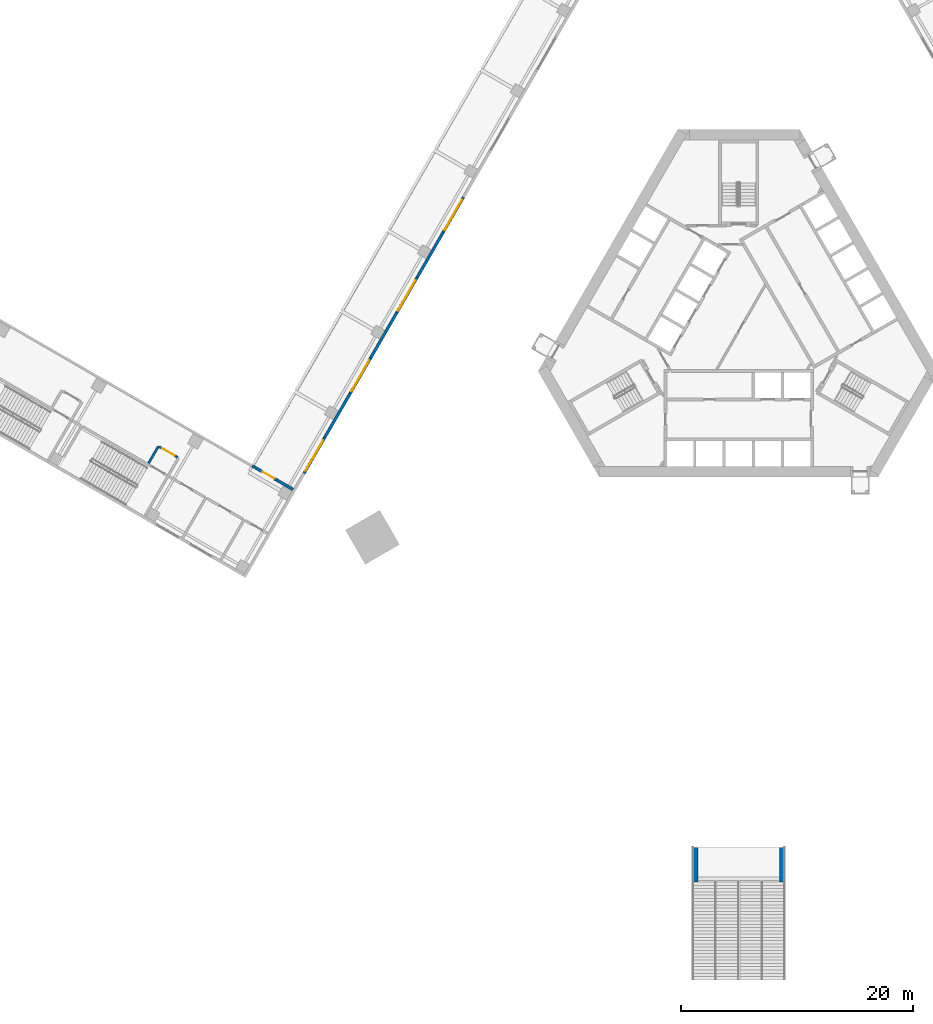
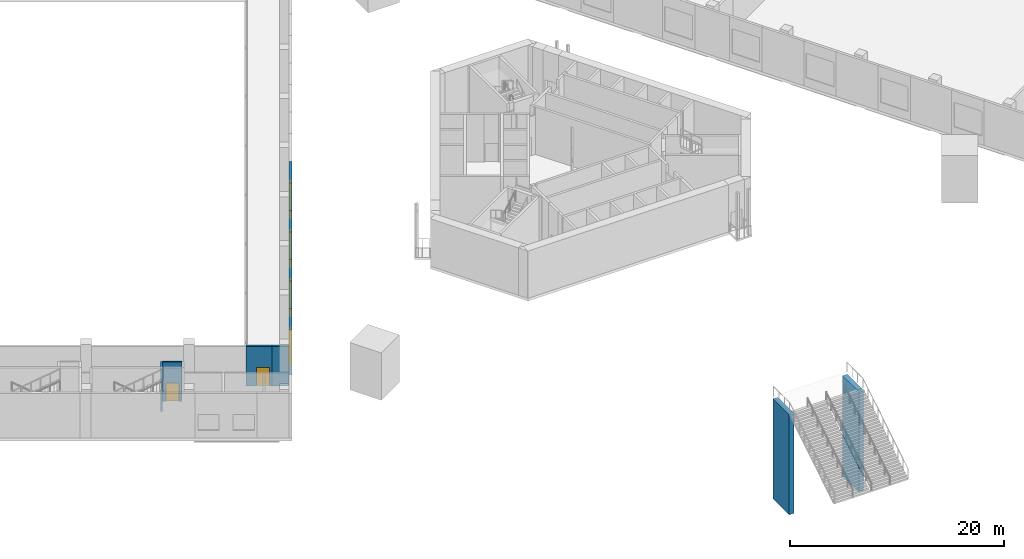
# One storey, part 10 of 35: 13 walls, 4 windows, 2 doors, 6 openings.
"""IFC4 building model written with IfcOpenShell, lengths in metres."""

from ifc_helpers import new_model, si_unit, direction, frame, frame_2d, origin, place, context, subcontext, project, spatial, rectangle, extrude, material, layer, layer_set, type_object, element, fill, save


model = new_model("IFC4")

# Units and contexts
model_context = context("Model", 3, precision=1e-05, world=origin(), true_north=direction((0.0, 1.0)))
body_context = subcontext(model_context, "Body", "Model", "MODEL_VIEW")
ifc_project = project(units=[si_unit("LENGTHUNIT", "METRE"), si_unit("AREAUNIT", "SQUARE_METRE"), si_unit("VOLUMEUNIT", "CUBIC_METRE"), si_unit("PLANEANGLEUNIT", "RADIAN"), si_unit("MASSUNIT", "GRAM", prefix="KILO")], contexts=[model_context])

# Site, building, storey
site_placement = place(None, origin())
site = spatial("IfcSite", under=ifc_project, at=site_placement, CompositionType="ELEMENT")
building_placement = place(site_placement, origin())
building = spatial("IfcBuilding", under=site, at=building_placement, Name="Mestral Congress Tower", CompositionType="ELEMENT")
storey_placement = place(building_placement, frame((0.0, 0.0, 6.0)))
storey = spatial("IfcBuildingStorey", under=building, at=storey_placement, Name="L01", CompositionType="ELEMENT", Elevation=6.0)

# Wall, opening, window
ifc_material_1 = material(Name="Precast concrete C40/50 with limestone facing", Category="masonry")
ifc_layer_1 = layer(ifc_material_1, 0.25)
ifc_layer_set_1 = layer_set([ifc_layer_1], Name="Precast concrete C40/50 with limestone facing")
wall_type_1 = type_object("IfcWallType", Name="Podium external wall 250", PredefinedType="SOLIDWALL", material=ifc_layer_set_1)
wall_1_placement = place(storey_placement, frame((-23.6875, 11.077880859375, 0.0), z_axis=(0.0, 0.0, 1.0), x_axis=(-0.500010275428, -0.866019471182, 0.0)))
wall_1 = element("IfcWall", 1, at=wall_1_placement, inside=storey, type_object=wall_type_1, Name="L01 external wall", PredefinedType="SOLIDWALL", context=body_context, shape_type="SweptSolid", body=[
    extrude(rectangle(XDim=3.5, YDim=0.25, at=frame_2d((1.75, 0.0))), origin(), (0.0, 0.0, 1.0), 5.10009765625),
])
opening_1_placement = place(wall_1_placement, frame((0.25, 0.0, 0.89990234375)))
opening_1 = element("IfcOpeningElement", 2, at=opening_1_placement, cuts=wall_1, Name="Opening PW-3000x2200", PredefinedType="OPENING", context=body_context, shape_type="SweptSolid", body=[
    extrude(rectangle(XDim=3.0, YDim=2.199951171875, at=frame_2d((1.5, 1.10009765625))), frame((0.0, 0.135009765625, 0.0), z_axis=(0.0, -1.0, 0.0), x_axis=(1.0, 0.0, 0.0)), (0.0, 0.0, 1.0), 0.27001953125),
])
ifc_material_2 = material(Name="Aluminium frame, clear double glazing", Category="aluminium")
window_type = type_object("IfcWindowType", Name="Podium window 3000x2200 sill 900", PartitioningType="SINGLE_PANEL", PredefinedType="WINDOW", material=ifc_material_2)
window_1_placement = place(opening_1_placement, origin())
window_1 = element("IfcWindow", 3, at=window_1_placement, inside=storey, type_object=window_type, Name="Window", OverallHeight=2.199951171875, OverallWidth=3.0, PartitioningType="SINGLE_PANEL", PredefinedType="WINDOW", context=body_context, shape_type="SweptSolid", body=[
    extrude(rectangle(XDim=3.0, YDim=2.199951171875, at=frame_2d((1.5, 1.10009765625))), frame((0.0, 0.030029296875, 0.0), z_axis=(0.0, -1.0, 0.0), x_axis=(1.0, 0.0, 0.0)), (0.0, 0.0, 1.0), 0.06005859375),
])
fill(opening_1, window_1)

# Wall
wall_2_placement = place(storey_placement, frame((-25.4375, 8.046875, 0.0), z_axis=(0.0, 0.0, 1.0), x_axis=(-0.499990139034, -0.866031096941, 0.0)))
element("IfcWall", 4, at=wall_2_placement, inside=storey, type_object=wall_type_1, Name="L01 external wall", PredefinedType="SOLIDWALL", context=body_context, shape_type="SweptSolid", body=[
    extrude(rectangle(XDim=4.5, YDim=0.25, at=frame_2d((2.25, 0.0))), origin(), (0.0, 0.0, 1.0), 5.10009765625),
])

# Wall, opening, window
wall_3_placement = place(storey_placement, frame((-27.6875, 4.149658203125, 0.0), z_axis=(0.0, 0.0, 1.0), x_axis=(-0.500010275428, -0.866019471182, 0.0)))
wall_3 = element("IfcWall", 5, at=wall_3_placement, inside=storey, type_object=wall_type_1, Name="L01 external wall", PredefinedType="SOLIDWALL", context=body_context, shape_type="SweptSolid", body=[
    extrude(rectangle(XDim=3.5, YDim=0.25, at=frame_2d((1.75, 0.0))), origin(), (0.0, 0.0, 1.0), 5.10009765625),
])
opening_2_placement = place(wall_3_placement, frame((0.25, 0.0, 0.89990234375)))
opening_2 = element("IfcOpeningElement", 6, at=opening_2_placement, cuts=wall_3, Name="Opening PW-3000x2200", PredefinedType="OPENING", context=body_context, shape_type="SweptSolid", body=[
    extrude(rectangle(XDim=3.0, YDim=2.199951171875, at=frame_2d((1.5, 1.10009765625))), frame((0.0, 0.135009765625, 0.0), z_axis=(0.0, -1.0, 0.0), x_axis=(1.0, 0.0, 0.0)), (0.0, 0.0, 1.0), 0.27001953125),
])
window_2_placement = place(opening_2_placement, origin())
window_2 = element("IfcWindow", 7, at=window_2_placement, inside=storey, type_object=window_type, Name="Window", OverallHeight=2.199951171875, OverallWidth=3.0, PartitioningType="SINGLE_PANEL", PredefinedType="WINDOW", context=body_context, shape_type="SweptSolid", body=[
    extrude(rectangle(XDim=3.0, YDim=2.199951171875, at=frame_2d((1.5, 1.10009765625))), frame((0.0, 0.030029296875, 0.0), z_axis=(0.0, -1.0, 0.0), x_axis=(1.0, 0.0, 0.0)), (0.0, 0.0, 1.0), 0.06005859375),
])
fill(opening_2, window_2)

# Wall
wall_4_placement = place(storey_placement, frame((-29.4375, 1.11865234375, 0.0), z_axis=(0.0, 0.0, 1.0), x_axis=(-0.499990139034, -0.866031096941, 0.0)))
element("IfcWall", 8, at=wall_4_placement, inside=storey, type_object=wall_type_1, Name="L01 external wall", PredefinedType="SOLIDWALL", context=body_context, shape_type="SweptSolid", body=[
    extrude(rectangle(XDim=4.5, YDim=0.25, at=frame_2d((2.25, 0.0))), origin(), (0.0, 0.0, 1.0), 5.10009765625),
])

# Wall, opening, window
wall_5_placement = place(storey_placement, frame((-31.6875, -2.778564453125, 0.0), z_axis=(0.0, 0.0, 1.0), x_axis=(-0.500010275428, -0.866019471182, 0.0)))
wall_5 = element("IfcWall", 9, at=wall_5_placement, inside=storey, type_object=wall_type_1, Name="L01 external wall", PredefinedType="SOLIDWALL", context=body_context, shape_type="SweptSolid", body=[
    extrude(rectangle(XDim=3.5, YDim=0.25, at=frame_2d((1.75, 0.0))), origin(), (0.0, 0.0, 1.0), 5.10009765625),
])
opening_3_placement = place(wall_5_placement, frame((0.25, 0.0, 0.89990234375)))
opening_3 = element("IfcOpeningElement", 10, at=opening_3_placement, cuts=wall_5, Name="Opening PW-3000x2200", PredefinedType="OPENING", context=body_context, shape_type="SweptSolid", body=[
    extrude(rectangle(XDim=3.0, YDim=2.199951171875, at=frame_2d((1.5, 1.10009765625))), frame((0.0, 0.135009765625, 0.0), z_axis=(0.0, -1.0, 0.0), x_axis=(1.0, 0.0, 0.0)), (0.0, 0.0, 1.0), 0.27001953125),
])
window_3_placement = place(opening_3_placement, origin())
window_3 = element("IfcWindow", 11, at=window_3_placement, inside=storey, type_object=window_type, Name="Window", OverallHeight=2.199951171875, OverallWidth=3.0, PartitioningType="SINGLE_PANEL", PredefinedType="WINDOW", context=body_context, shape_type="SweptSolid", body=[
    extrude(rectangle(XDim=3.0, YDim=2.199951171875, at=frame_2d((1.5, 1.10009765625))), frame((0.0, 0.030029296875, 0.0), z_axis=(0.0, -1.0, 0.0), x_axis=(1.0, 0.0, 0.0)), (0.0, 0.0, 1.0), 0.06005859375),
])
fill(opening_3, window_3)

# Wall
wall_6_placement = place(storey_placement, frame((-33.4375, -5.8095703125, 0.0), z_axis=(0.0, 0.0, 1.0), x_axis=(-0.499990705068, -0.866030770149, 0.0)))
element("IfcWall", 12, at=wall_6_placement, inside=storey, type_object=wall_type_1, Name="L01 external wall", PredefinedType="SOLIDWALL", context=body_context, shape_type="SweptSolid", body=[
    extrude(rectangle(XDim=4.43798828125, YDim=0.25, at=frame_2d((2.218994140625, 0.0))), origin(), (0.0, 0.0, 1.0), 5.10009765625),
])

# Wall, opening, window
wall_7_placement = place(storey_placement, frame((-35.656494140625, -9.653076171875, 0.0), z_axis=(0.0, 0.0, 1.0), x_axis=(-0.500010275428, -0.866019471182, 0.0)))
wall_7 = element("IfcWall", 13, at=wall_7_placement, inside=storey, type_object=wall_type_1, Name="L01 external wall", PredefinedType="SOLIDWALL", context=body_context, shape_type="SweptSolid", body=[
    extrude(rectangle(XDim=3.5, YDim=0.25, at=frame_2d((1.75, 0.0))), origin(), (0.0, 0.0, 1.0), 5.10009765625),
])
opening_4_placement = place(wall_7_placement, frame((0.25, 0.0, 0.89990234375)))
opening_4 = element("IfcOpeningElement", 14, at=opening_4_placement, cuts=wall_7, Name="Opening PW-3000x2200", PredefinedType="OPENING", context=body_context, shape_type="SweptSolid", body=[
    extrude(rectangle(XDim=3.0, YDim=2.199951171875, at=frame_2d((1.5, 1.10009765625))), frame((0.0, 0.135009765625, 0.0), z_axis=(0.0, -1.0, 0.0), x_axis=(1.0, 0.0, 0.0)), (0.0, 0.0, 1.0), 0.27001953125),
])
window_4_placement = place(opening_4_placement, origin())
window_4 = element("IfcWindow", 15, at=window_4_placement, inside=storey, type_object=window_type, Name="Window", OverallHeight=2.199951171875, OverallWidth=3.0, PartitioningType="SINGLE_PANEL", PredefinedType="WINDOW", context=body_context, shape_type="SweptSolid", body=[
    extrude(rectangle(XDim=3.0, YDim=2.199951171875, at=frame_2d((1.5, 1.10009765625))), frame((0.0, 0.030029296875, 0.0), z_axis=(0.0, -1.0, 0.0), x_axis=(1.0, 0.0, 0.0)), (0.0, 0.0, 1.0), 0.06005859375),
])
fill(opening_4, window_4)

# Wall
ifc_material_3 = material(Name="Masonry block wall", Category="masonry")
ifc_layer_2 = layer(ifc_material_3, 0.25)
ifc_layer_set_2 = layer_set([ifc_layer_2], Name="Masonry block wall")
wall_type_2 = type_object("IfcWallType", Name="Podium hall wall 250 EI 180", PredefinedType="SOLIDWALL", material=ifc_layer_set_2)
wall_8_placement = place(storey_placement, frame((-38.3583984375, -14.08251953125, 0.0), z_axis=(0.0, 0.0, 1.0), x_axis=(-0.866055983265, 0.499947031044, 0.0)))
element("IfcWall", 16, at=wall_8_placement, inside=storey, type_object=wall_type_2, Name="L01 partition", PredefinedType="SOLIDWALL", context=body_context, shape_type="SweptSolid", body=[
    extrude(rectangle(XDim=1.599853515625, YDim=0.25, at=frame_2d((0.7998046875, 0.0))), origin(), (0.0, 0.0, 1.0), 4.5),
])

# Wall, opening, door
wall_9_placement = place(storey_placement, frame((-39.743896484375, -13.28271484375, 0.0), z_axis=(0.0, 0.0, 1.0), x_axis=(-0.866014668023, 0.500018594424, 0.0)))
wall_9 = element("IfcWall", 17, at=wall_9_placement, inside=storey, type_object=wall_type_2, Name="L01 partition", PredefinedType="SOLIDWALL", context=body_context, shape_type="SweptSolid", body=[
    extrude(rectangle(XDim=2.4501953125, YDim=0.25, at=frame_2d((1.22509765625, 0.0))), origin(), (0.0, 0.0, 1.0), 4.5),
])
opening_5_placement = place(wall_9_placement, frame((0.25, 0.0, 0.0)))
opening_5 = element("IfcOpeningElement", 18, at=opening_5_placement, cuts=wall_9, Name="Opening P01-319", PredefinedType="OPENING", context=body_context, shape_type="SweptSolid", body=[
    extrude(rectangle(XDim=1.199951171875, YDim=2.10009765625, at=frame_2d((0.60009765625, 1.050048828125))), frame((0.0, 0.135009765625, 0.0), z_axis=(0.0, -1.0, 0.0), x_axis=(1.0, 0.0, 0.0)), (0.0, 0.0, 1.0), 0.27001953125),
])
ifc_material_4 = material(Name="Fire-rated steel door set", Category="steel")
door_type_1 = type_object("IfcDoorType", Name="Podium hall door 1200x2100 EI2 90-C5", OperationType="SINGLE_SWING_LEFT", PredefinedType="DOOR", material=ifc_material_4)
door_1_placement = place(opening_5_placement, origin())
door_1 = element("IfcDoor", 19, at=door_1_placement, inside=storey, type_object=door_type_1, Name="Door P01-319", OperationType="SINGLE_SWING_LEFT", OverallHeight=2.10009765625, OverallWidth=1.199951171875, PredefinedType="DOOR", context=body_context, shape_type="SweptSolid", body=[
    extrude(rectangle(XDim=1.199951171875, YDim=2.10009765625, at=frame_2d((0.60009765625, 1.050048828125))), frame((0.0, 0.02490234375, 0.0), z_axis=(0.0, -1.0, 0.0), x_axis=(1.0, 0.0, 0.0)), (0.0, 0.0, 1.0), 0.050048828125),
])
fill(opening_5, door_1)

# Wall
ifc_material_5 = material(Name="Fire-rated board partition")
ifc_layer_3 = layer(ifc_material_5, 0.199951171875)
ifc_layer_set_3 = layer_set([ifc_layer_3], Name="Fire-rated board partition")
wall_type_3 = type_object("IfcWallType", Name="Podium vestibule wall 200 EI 120", PredefinedType="PARTITIONING", material=ifc_layer_set_3)
wall_10_placement = place(storey_placement, frame((-49.951416015625, -10.362548828125, 0.0), z_axis=(0.0, 0.0, 1.0), x_axis=(-0.500062241894, -0.865989465428, 0.0)))
element("IfcWall", 20, at=wall_10_placement, inside=storey, type_object=wall_type_3, Name="L01 partition", PredefinedType="PARTITIONING", context=body_context, shape_type="SweptSolid", body=[
    extrude(rectangle(XDim=1.699951171875, YDim=0.199951171875, at=frame_2d((0.85009765625, 0.0))), origin(), (0.0, 0.0, 1.0), 4.5),
])

# Wall, opening, door
wall_11_placement = place(storey_placement, frame((-48.30615234375, -11.3125, 0.0), z_axis=(0.0, 0.0, 1.0), x_axis=(-0.866047807691, 0.499961193289, 0.0)))
wall_11 = element("IfcWall", 21, at=wall_11_placement, inside=storey, type_object=wall_type_3, Name="L01 partition", PredefinedType="PARTITIONING", context=body_context, shape_type="SweptSolid", body=[
    extrude(rectangle(XDim=1.800048828125, YDim=0.199951171875, at=frame_2d((0.89990234375, 0.0))), origin(), (0.0, 0.0, 1.0), 4.5),
])
opening_6_placement = place(wall_11_placement, frame((0.300048828125, 0.0, 0.0)))
opening_6 = element("IfcOpeningElement", 22, at=opening_6_placement, cuts=wall_11, Name="Opening P01-314", PredefinedType="OPENING", context=body_context, shape_type="SweptSolid", body=[
    extrude(rectangle(XDim=1.199951171875, YDim=2.10009765625, at=frame_2d((0.60009765625, 1.050048828125))), frame((0.0, 0.10986328125, 0.0), z_axis=(0.0, -1.0, 0.0), x_axis=(1.0, 0.0, 0.0)), (0.0, 0.0, 1.0), 0.219970703125),
])
door_type_2 = type_object("IfcDoorType", Name="Podium vestibule door 1200x2100 EI2 30-C5", OperationType="SINGLE_SWING_LEFT", PredefinedType="DOOR", material=ifc_material_4)
door_2_placement = place(opening_6_placement, origin())
door_2 = element("IfcDoor", 23, at=door_2_placement, inside=storey, type_object=door_type_2, Name="Door P01-314", OperationType="SINGLE_SWING_LEFT", OverallHeight=2.10009765625, OverallWidth=1.199951171875, PredefinedType="DOOR", context=body_context, shape_type="SweptSolid", body=[
    extrude(rectangle(XDim=1.199951171875, YDim=2.10009765625, at=frame_2d((0.60009765625, 1.050048828125))), frame((0.0, 0.02490234375, 0.0), z_axis=(0.0, -1.0, 0.0), x_axis=(1.0, 0.0, 0.0)), (0.0, 0.0, 1.0), 0.050048828125),
])
fill(opening_6, door_2)

# Walls
ifc_material_6 = material(Name="Concrete C35/45", Category="concrete")
ifc_layer_4 = layer(ifc_material_6, 0.5)
ifc_layer_set_4 = layer_set([ifc_layer_4], Name="Concrete C35/45")
wall_type_4 = type_object("IfcWallType", Name="Stair support wall 500 C35/45", PredefinedType="SOLIDWALL", material=ifc_layer_set_4)
for number, where, z_axis, x_axis, name in (
    (24, (-3.75, -47.887939453125, -6.300048828125), (0.0, 0.0, 1.0), (0.0, 1.0, 0.0), "WL-TERR-2-W"),
    (25, (3.75, -47.887939453125, -6.300048828125), (0.0, 0.0, 1.0), (0.0, 1.0, 0.0), "WL-TERR-2-E"),
):
    element("IfcWall", number, at=place(storey_placement, frame(where, z_axis=z_axis, x_axis=x_axis)), inside=storey, type_object=wall_type_4, Name=name, PredefinedType="SOLIDWALL", context=body_context, shape_type="SweptSolid", body=[
        extrude(rectangle(XDim=3.0, YDim=0.5, at=frame_2d((1.5, 0.0))), origin(), (0.0, 0.0, 1.0), 11.400146484375),
    ])

save(model, "model.ifc")
